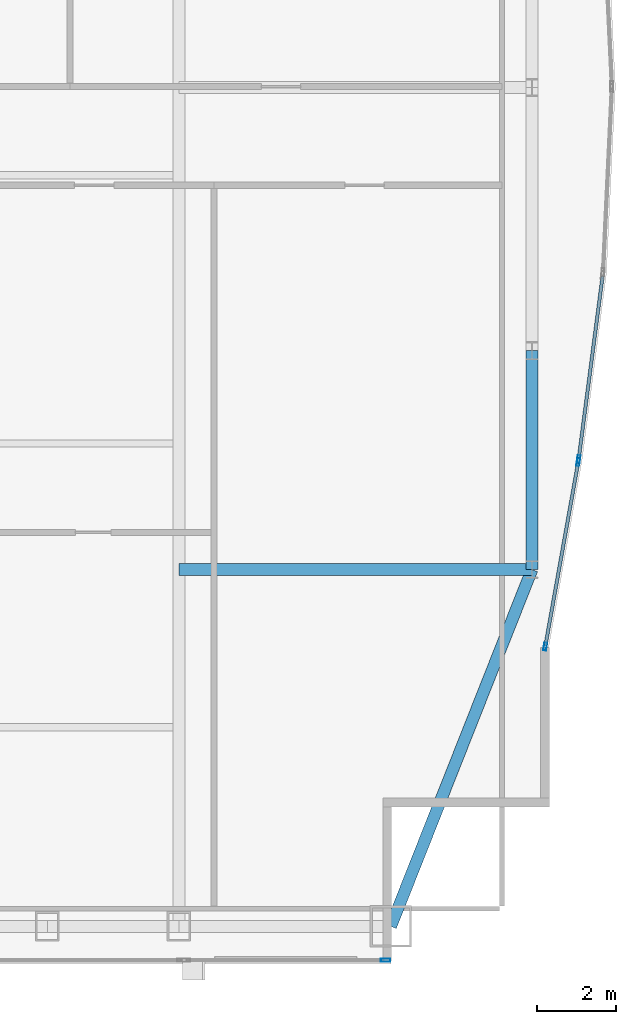
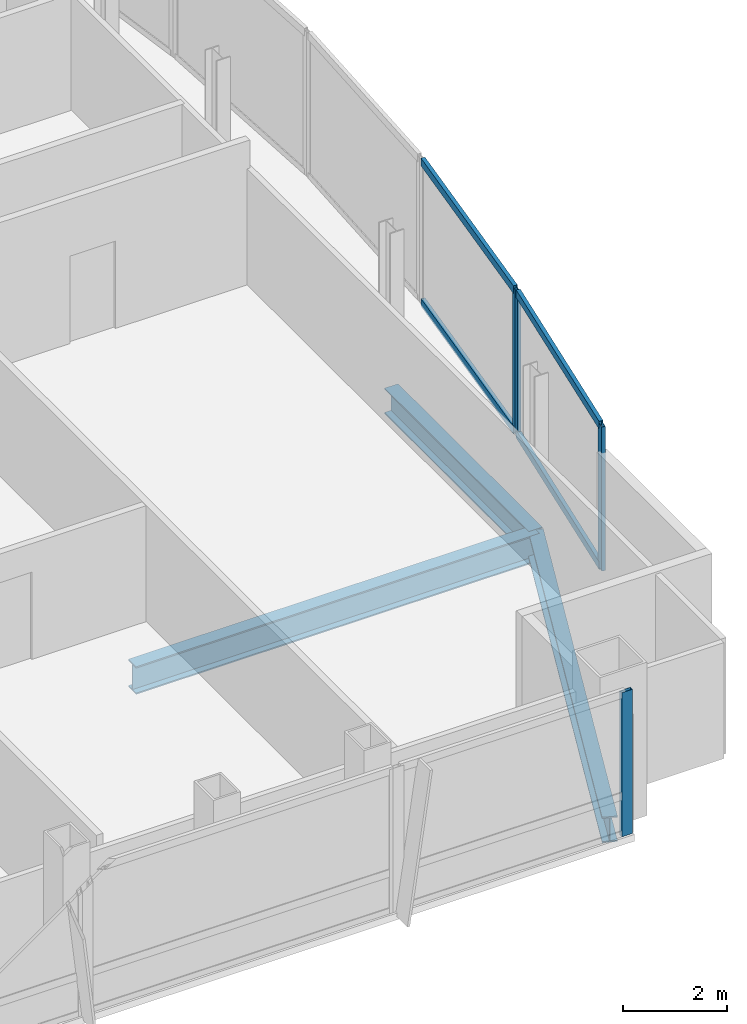
# One storey, part 16 of 30: 8 members, 3 beams, 3 elements without a shape of their own.
"""IFC4 building model written with IfcOpenShell, lengths in metres."""

from ifc_helpers import new_model, si_unit, direction, frame, origin, origin_2d, place, context, subcontext, project, spatial, hollow_rectangle, i_section, extrude, material, material_profile, profile_set, type_object, element, aggregate, save


model = new_model("IFC4")

# Units and contexts
model_context = context("Model", 3, precision=1e-05, world=origin(), true_north=direction((0.0, 1.0)))
body_context = subcontext(model_context, "Body", "Model", "MODEL_VIEW")
ifc_project = project(units=[si_unit("LENGTHUNIT", "METRE"), si_unit("AREAUNIT", "SQUARE_METRE"), si_unit("VOLUMEUNIT", "CUBIC_METRE"), si_unit("PLANEANGLEUNIT", "RADIAN"), si_unit("MASSUNIT", "GRAM", prefix="KILO")], contexts=[model_context])

# Site, building, storey
site_placement = place(None, origin())
site = spatial("IfcSite", under=ifc_project, at=site_placement, CompositionType="ELEMENT")
building_placement = place(site_placement, origin())
building = spatial("IfcBuilding", under=site, at=building_placement, Name="Khoronbel Lancet Exchange", CompositionType="ELEMENT")
storey_placement = place(building_placement, frame((0.0, 0.0, 253.39990234375)))
storey = spatial("IfcBuildingStorey", under=building, at=storey_placement, Name="L65", CompositionType="ELEMENT", Elevation=253.39990234375)

# Beams
ifc_material_1 = material(Name="Steel S355", Category="steel")
ifc_material_profile_1 = material_profile(ifc_material_1, i_section(OverallWidth=0.300048828125, OverallDepth=0.64990234375, WebThickness=0.01611328125, FlangeThickness=0.031005859375, at=origin_2d()), Name="HEB 650")
ifc_profile_set_1 = profile_set([ifc_material_profile_1], Name="Steel S355")
beam_type_1 = type_object("IfcBeamType", Name="BM-BG4", PredefinedType="BEAM", material=ifc_profile_set_1)
beam_1_placement = place(storey_placement, frame((54.675048828125, 19.199951171875, -0.48486328125), z_axis=(1.0, 0.0, 0.0), x_axis=(0.0, 1.0, 0.0)))
element("IfcBeam", 1, at=beam_1_placement, inside=storey, type_object=beam_type_1, Name="Level L65 east lens tie girder LG1E", PredefinedType="BEAM", context=body_context, shape_type="SweptSolid", body=[
    extrude(i_section(OverallWidth=0.300048828125, OverallDepth=0.64990234375, WebThickness=0.01611328125, FlangeThickness=0.031005859375, at=origin_2d()), origin(), (0.0, 0.0, 1.0), 8.954833984375),
])
ifc_material_profile_2 = material_profile(ifc_material_1, i_section(OverallWidth=0.300048828125, OverallDepth=0.60009765625, WebThickness=0.015380859375, FlangeThickness=0.030029296875, at=origin_2d()), Name="HEB 600")
ifc_profile_set_2 = profile_set([ifc_material_profile_2], Name="Steel S355")
beam_type_2 = type_object("IfcBeamType", Name="BM-BSP2", PredefinedType="SPANDREL", material=ifc_profile_set_2)
beam_2_placement = place(storey_placement, frame((60.050048828125, 10.14990234375, -0.4599609375), z_axis=(0.367828403855, 0.929893684954, 0.0), x_axis=(-0.929893684954, 0.367828403855, 0.0)))
element("IfcBeam", 2, at=beam_2_placement, inside=storey, type_object=beam_type_2, Name="Level L65 perimeter spandrel beam SP10", PredefinedType="SPANDREL", context=body_context, shape_type="SweptSolid", body=[
    extrude(i_section(OverallWidth=0.300048828125, OverallDepth=0.60009765625, WebThickness=0.015380859375, FlangeThickness=0.030029296875, at=origin_2d()), origin(), (0.0, 0.0, 1.0), 9.732421875),
])
beam_3_placement = place(storey_placement, frame((63.6298828125, 19.199951171875, -0.4599609375), z_axis=(0.0, 1.0, 0.0), x_axis=(-1.0, 0.0, 0.0)))
element("IfcBeam", 3, at=beam_3_placement, inside=storey, type_object=beam_type_2, Name="Level L65 perimeter spandrel beam SP11", PredefinedType="SPANDREL", context=body_context, shape_type="SweptSolid", body=[
    extrude(i_section(OverallWidth=0.300048828125, OverallDepth=0.60009765625, WebThickness=0.015380859375, FlangeThickness=0.030029296875, at=origin_2d()), origin(), (0.0, 0.0, 1.0), 5.550048828125),
])

# Curtain wall, member
ifc_material_2 = material(Name="Low-E Solar Control Insulating Glass", Category="glass")
curtain_wall_type_1 = type_object("IfcCurtainWallType", Name="CW-3", PredefinedType="NOTDEFINED", material=ifc_material_2)
curtain_wall_1_placement = place(storey_placement, origin())
curtain_wall_1 = element("IfcCurtainWall", 4, at=curtain_wall_1_placement, inside=storey, type_object=curtain_wall_type_1, Name="Unitised curtain wall CW-L65-SEV", PredefinedType="NOTDEFINED")
ifc_material_3 = material(Name="Bronze-Anodised Aluminium 6063-T6", Category="aluminium")
ifc_material_profile_3 = material_profile(ifc_material_3, hollow_rectangle(XDim=0.0849609375, YDim=0.239990234375, WallThickness=0.006103515625, at=origin_2d()), Name="ALU MULLION 85x240")
ifc_profile_set_3 = profile_set([ifc_material_profile_3], Name="Bronze-Anodised Aluminium 6063-T6")
member_type_1 = type_object("IfcMemberType", Name="MEM-CWM1", PredefinedType="MULLION", material=ifc_profile_set_3)
member_1_placement = place(storey_placement, frame((59.91748046875, 9.2900390625, 0.0), z_axis=(0.0, 0.0, 1.0), x_axis=(0.0, 1.0, 0.0)))
member_1 = element("IfcMember", 5, at=member_1_placement, type_object=member_type_1, Name="CW3 mullion 2", PredefinedType="MULLION", context=body_context, shape_type="SweptSolid", body=[
    extrude(hollow_rectangle(XDim=0.0849609375, YDim=0.239990234375, WallThickness=0.006103515625, at=origin_2d()), origin(), (0.0, 0.0, 1.0), 3.380126953125),
])
aggregate(curtain_wall_1, [member_1])

curtain_wall_type_2 = type_object("IfcCurtainWallType", Name="CW-4", PredefinedType="NOTDEFINED", material=ifc_material_2)
curtain_wall_2_placement = place(storey_placement, origin())
curtain_wall_2 = element("IfcCurtainWall", 6, at=curtain_wall_2_placement, inside=storey, type_object=curtain_wall_type_2, Name="Unitised curtain wall CW-L65-E21", PredefinedType="NOTDEFINED")
ifc_material_profile_4 = material_profile(ifc_material_3, hollow_rectangle(XDim=0.074951171875, YDim=0.199951171875, WallThickness=0.0048828125, at=origin_2d()), Name="ALU MULLION 75x200")
ifc_profile_set_4 = profile_set([ifc_material_profile_4], Name="Bronze-Anodised Aluminium 6063-T6")
member_type_2 = type_object("IfcMemberType", Name="MEM-CWM2", PredefinedType="MULLION", material=ifc_profile_set_4)
member_2_placement = place(storey_placement, frame((64.814208984375, 22.0009765625, 0.0), z_axis=(0.0, 0.0, 1.0), x_axis=(0.991560388751, -0.129645653456, 0.0)))
member_2 = element("IfcMember", 7, at=member_2_placement, type_object=member_type_2, Name="CW4 mullion 2", PredefinedType="MULLION", context=body_context, shape_type="SweptSolid", body=[
    extrude(hollow_rectangle(XDim=0.074951171875, YDim=0.199951171875, WallThickness=0.0048828125, at=origin_2d()), origin(), (0.0, 0.0, 1.0), 3.380126953125),
])

# Curtain wall, members
curtain_wall_3_placement = place(storey_placement, origin())
curtain_wall_3 = element("IfcCurtainWall", 8, at=curtain_wall_3_placement, inside=storey, type_object=curtain_wall_type_2, Name="Unitised curtain wall CW-L65-E22", PredefinedType="NOTDEFINED")
member_3_placement = place(storey_placement, frame((64.802734375, 21.927001953125, 0.0), z_axis=(0.0, 0.0, 1.0), x_axis=(0.984425784404, -0.175800668376, 0.0)))
member_3 = element("IfcMember", 9, at=member_3_placement, type_object=member_type_2, Name="CW4 mullion 1", PredefinedType="MULLION", context=body_context, shape_type="SweptSolid", body=[
    extrude(hollow_rectangle(XDim=0.074951171875, YDim=0.199951171875, WallThickness=0.0048828125, at=origin_2d()), origin(), (0.0, 0.0, 1.0), 3.380126953125),
])
member_4_placement = place(storey_placement, frame((63.966552734375, 17.244873046875, 0.0), z_axis=(0.0, 0.0, 1.0), x_axis=(0.984425784404, -0.175800668376, 0.0)))
member_4 = element("IfcMember", 10, at=member_4_placement, type_object=member_type_2, Name="CW4 mullion 2", PredefinedType="MULLION", context=body_context, shape_type="SweptSolid", body=[
    extrude(hollow_rectangle(XDim=0.074951171875, YDim=0.199951171875, WallThickness=0.0048828125, at=origin_2d()), origin(), (0.0, 0.0, 1.0), 3.380126953125),
])

# Member
ifc_material_profile_5 = material_profile(ifc_material_3, hollow_rectangle(XDim=0.0849609375, YDim=0.179931640625, WallThickness=0.0048828125, at=origin_2d()), Name="ALU TRANSOM 85x180")
ifc_profile_set_5 = profile_set([ifc_material_profile_5], Name="Bronze-Anodised Aluminium 6063-T6")
member_type_3 = type_object("IfcMemberType", Name="MEM-CWT1", PredefinedType="USERDEFINED", material=ifc_profile_set_5)
member_5_placement = place(storey_placement, frame((65.419921875, 26.633544921875, 0.04248046875), z_axis=(-0.129640951477, -0.991561003519, 0.0), x_axis=(0.991561003519, -0.129640951477, 0.0)))
member_5 = element("IfcMember", 11, at=member_5_placement, type_object=member_type_3, Name="CW4 transom 1.1", ObjectType="TRANSOM", PredefinedType="USERDEFINED", context=body_context, shape_type="SweptSolid", body=[
    extrude(hollow_rectangle(XDim=0.0849609375, YDim=0.179931640625, WallThickness=0.0048828125, at=origin_2d()), origin(), (0.0, 0.0, 1.0), 4.634521484375),
])

member_6_placement = place(storey_placement, frame((65.419921875, 26.633544921875, 3.337646484375), z_axis=(-0.129640951477, -0.991561003519, 0.0), x_axis=(0.991561003519, -0.129640951477, 0.0)))
member_6 = element("IfcMember", 12, at=member_6_placement, type_object=member_type_3, Name="CW4 transom 1.2", ObjectType="TRANSOM", PredefinedType="USERDEFINED", context=body_context, shape_type="SweptSolid", body=[
    extrude(hollow_rectangle(XDim=0.0849609375, YDim=0.179931640625, WallThickness=0.0048828125, at=origin_2d()), origin(), (0.0, 0.0, 1.0), 4.634521484375),
])

aggregate(curtain_wall_2, [member_2, member_5, member_6])

member_7_placement = place(storey_placement, frame((64.796142578125, 21.889892578125, 0.04248046875), z_axis=(-0.175814104907, -0.984423384787, 0.0), x_axis=(0.984423384787, -0.175814104907, 0.0)))
member_7 = element("IfcMember", 13, at=member_7_placement, type_object=member_type_3, Name="CW4 transom 1.1", ObjectType="TRANSOM", PredefinedType="USERDEFINED", context=body_context, shape_type="SweptSolid", body=[
    extrude(hollow_rectangle(XDim=0.0849609375, YDim=0.179931640625, WallThickness=0.0048828125, at=origin_2d()), origin(), (0.0, 0.0, 1.0), 4.68115234375),
])

member_8_placement = place(storey_placement, frame((64.796142578125, 21.889892578125, 3.337646484375), z_axis=(-0.175814104907, -0.984423384787, 0.0), x_axis=(0.984423384787, -0.175814104907, 0.0)))
member_8 = element("IfcMember", 14, at=member_8_placement, type_object=member_type_3, Name="CW4 transom 1.2", ObjectType="TRANSOM", PredefinedType="USERDEFINED", context=body_context, shape_type="SweptSolid", body=[
    extrude(hollow_rectangle(XDim=0.0849609375, YDim=0.179931640625, WallThickness=0.0048828125, at=origin_2d()), origin(), (0.0, 0.0, 1.0), 4.68115234375),
])

aggregate(curtain_wall_3, [member_3, member_4, member_7, member_8])

save(model, "model.ifc")
